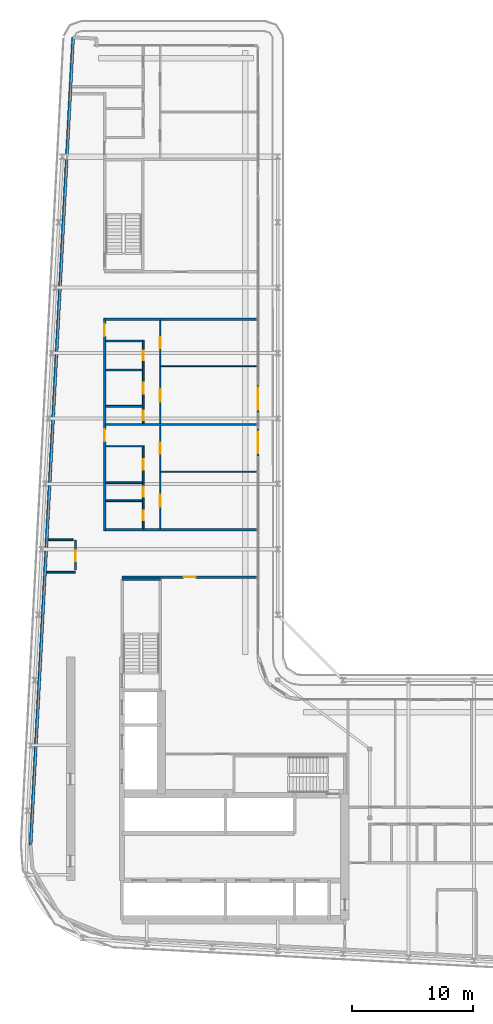
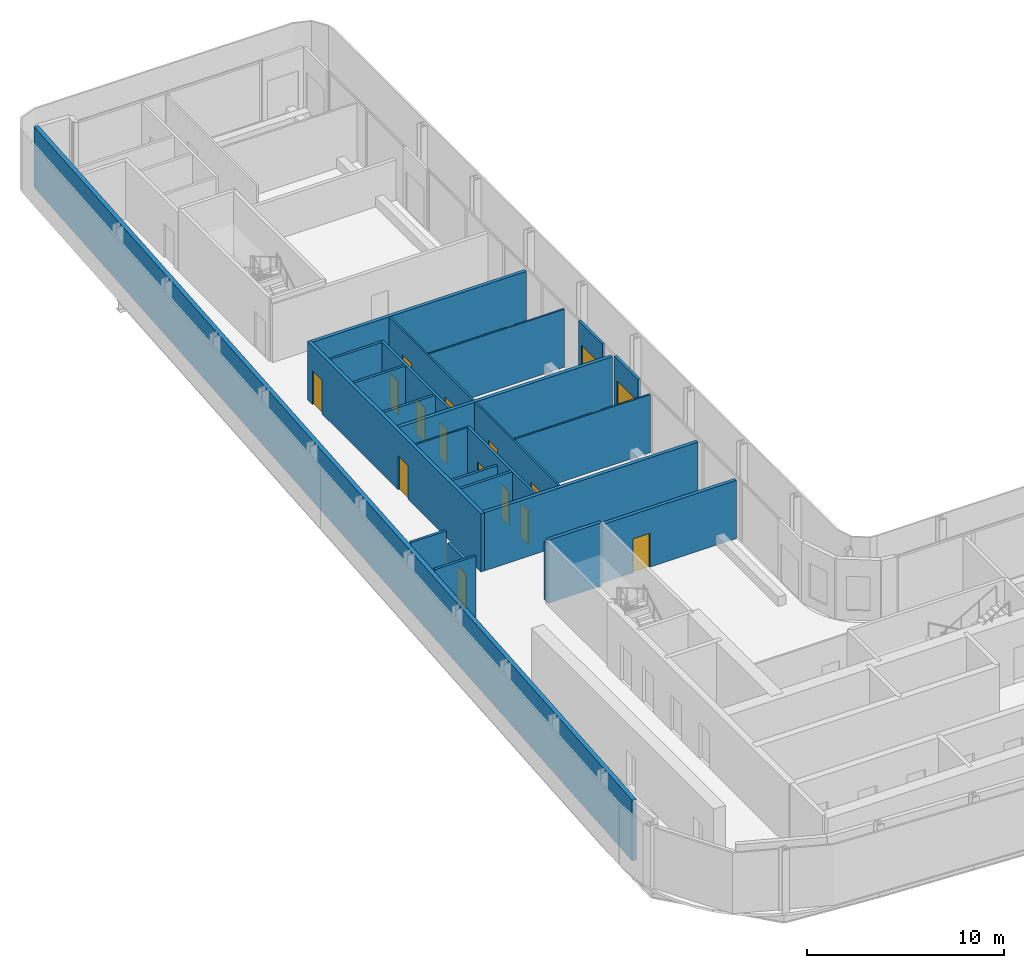
# One storey, part 13 of 22: 24 walls, 16 doors, 16 openings.
"""IFC4 building model written with IfcOpenShell, lengths in metres."""

from ifc_helpers import new_model, si_unit, direction, frame, frame_2d, origin, place, context, subcontext, project, spatial, rectangle, extrude, source, transform, mapped, material, layer, layer_set, type_object, element, fill, save


model = new_model("IFC4")

# Units and contexts
model_context = context("Model", 3, precision=1e-05, world=origin(), true_north=direction((0.0, 1.0)))
body_context = subcontext(model_context, "Body", "Model", "MODEL_VIEW")
ifc_project = project(units=[si_unit("LENGTHUNIT", "METRE"), si_unit("AREAUNIT", "SQUARE_METRE"), si_unit("VOLUMEUNIT", "CUBIC_METRE"), si_unit("PLANEANGLEUNIT", "RADIAN"), si_unit("MASSUNIT", "GRAM", prefix="KILO")], contexts=[model_context])

# Site, building, storey
site_placement = place(None, origin())
site = spatial("IfcSite", under=ifc_project, at=site_placement, CompositionType="ELEMENT")
building_placement = place(site_placement, origin())
building = spatial("IfcBuilding", under=site, at=building_placement, Name="Kheshtan School and Residences Tower", CompositionType="ELEMENT")
storey_placement = place(building_placement, frame((0.0, 0.0, 251.300048828125)))
storey = spatial("IfcBuildingStorey", under=building, at=storey_placement, Name="L59", CompositionType="ELEMENT", Elevation=251.300048828125)

# Wall, openings, doors
ifc_material_1 = material(Name="Gypsum board on steel studs with fire boards", Category="steel")
ifc_layer_1 = layer(ifc_material_1, 0.199951171875)
ifc_layer_set_1 = layer_set([ifc_layer_1], Name="Corridor wall 200")
wall_type_1 = type_object("IfcWallType", Name="Corridor wall 200", PredefinedType="PARTITIONING", material=ifc_layer_set_1)
wall_1_placement = place(storey_placement, frame((33.300048828125, 57.89990234375, 0.0), z_axis=(0.0, 0.0, 1.0), x_axis=(0.0, 1.0, 0.0)))
wall_1 = element("IfcWall", 1, at=wall_1_placement, inside=storey, type_object=wall_type_1, Name="Partition L59-003", PredefinedType="PARTITIONING", context=body_context, shape_type="SweptSolid", body=[
    extrude(rectangle(XDim=17.60009765625, YDim=0.199951171875, at=frame_2d((8.800048828125, 0.0))), origin(), (0.0, 0.0, 1.0), 3.599853515625),
])
opening_1_placement = place(wall_1_placement, frame((7.39990234375, 0.0, 0.0)))
opening_1 = element("IfcOpeningElement", 2, at=opening_1_placement, cuts=wall_1, Name="Opening D58-024", PredefinedType="OPENING", context=body_context, shape_type="SweptSolid", body=[
    extrude(rectangle(XDim=1.0, YDim=2.10009765625, at=frame_2d((0.5, 1.050048828125))), frame((0.0, 0.10986328125, 0.0), z_axis=(0.0, -1.0, 0.0), x_axis=(1.0, 0.0, 0.0)), (0.0, 0.0, 1.0), 0.219970703125),
])
opening_2_placement = place(wall_1_placement, frame((16.10009765625, 0.0, 0.0)))
opening_2 = element("IfcOpeningElement", 3, at=opening_2_placement, cuts=wall_1, Name="Opening D58-030", PredefinedType="OPENING", context=body_context, shape_type="SweptSolid", body=[
    extrude(rectangle(XDim=1.0, YDim=2.10009765625, at=frame_2d((0.5, 1.050048828125))), frame((0.0, 0.10986328125, 0.0), z_axis=(0.0, -1.0, 0.0), x_axis=(1.0, 0.0, 0.0)), (0.0, 0.0, 1.0), 0.219970703125),
])
ifc_material_2 = material(Name="Steel-framed fire-resisting door leaf", Category="steel")
door_type_1 = type_object("IfcDoorType", Name="Fire door FD30S 1000 x 2100", OperationType="SINGLE_SWING_LEFT", PredefinedType="DOOR", material=ifc_material_2)
shared_shape_1 = source(origin(), body_context, "Body", "SweptSolid", [
    extrude(rectangle(XDim=1.0, YDim=2.10009765625, at=frame_2d((0.5, 1.050048828125))), frame((0.0, 0.02490234375, 0.0), z_axis=(0.0, -1.0, 0.0), x_axis=(1.0, 0.0, 0.0)), (0.0, 0.0, 1.0), 0.050048828125),
])
door_1_placement = place(opening_1_placement, origin())
door_1 = element("IfcDoor", 4, at=door_1_placement, inside=storey, type_object=door_type_1, Name="Door D58-024", OperationType="SINGLE_SWING_LEFT", OverallHeight=2.10009765625, OverallWidth=1.0, PredefinedType="DOOR", context=body_context, shape_type="MappedRepresentation", body=[
    mapped(shared_shape_1, transform((0.0, 0.0, 0.0), x_axis=(1.0, 0.0, 0.0), y_axis=(0.0, 1.0, 0.0), z_axis=(0.0, 0.0, 1.0), scale=1.0)),
])
fill(opening_1, door_1)
door_2_placement = place(opening_2_placement, origin())
door_2 = element("IfcDoor", 5, at=door_2_placement, inside=storey, type_object=door_type_1, Name="Door D58-030", OperationType="SINGLE_SWING_RIGHT", OverallHeight=2.10009765625, OverallWidth=1.0, PredefinedType="DOOR", context=body_context, shape_type="MappedRepresentation", body=[
    mapped(shared_shape_1, transform((0.0, 0.0, 0.0), x_axis=(1.0, 0.0, 0.0), y_axis=(0.0, 1.0, 0.0), z_axis=(0.0, 0.0, 1.0), scale=1.0)),
])
fill(opening_2, door_2)

# Walls
for number, where, z_axis, x_axis, name in (
    (6, (33.39990234375, 58.0, 0.0), (0.0, 0.0, 1.0), (1.0, 0.0, 0.0), "Partition L59-006"),
    (7, (33.39990234375, 75.39990234375, 0.0), (0.0, 0.0, 1.0), (1.0, 0.0, 0.0), "Partition L59-014"),
):
    element("IfcWall", number, at=place(storey_placement, frame(where, z_axis=z_axis, x_axis=x_axis)), inside=storey, type_object=wall_type_1, Name=name, PredefinedType="PARTITIONING", context=body_context, shape_type="SweptSolid", body=[
        extrude(rectangle(XDim=12.5, YDim=0.199951171875, at=frame_2d((6.25, 0.0))), origin(), (0.0, 0.0, 1.0), 3.599853515625),
    ])

# Wall, opening, door
wall_2_placement = place(storey_placement, frame((34.75, 54.10009765625, 0.0), z_axis=(0.0, 0.0, 1.0), x_axis=(1.0, 0.0, 0.0)))
wall_2 = element("IfcWall", 8, at=wall_2_placement, inside=storey, type_object=wall_type_1, Name="Partition L59-017", PredefinedType="PARTITIONING", context=body_context, shape_type="SweptSolid", body=[
    extrude(rectangle(XDim=11.14990234375, YDim=0.199951171875, at=frame_2d((5.574951171875, 0.0))), origin(), (0.0, 0.0, 1.0), 3.599853515625),
])
opening_3_placement = place(wall_2_placement, frame((5.074951171875, 0.0, 0.0)))
opening_3 = element("IfcOpeningElement", 9, at=opening_3_placement, cuts=wall_2, Name="Opening D58-042", PredefinedType="OPENING", context=body_context, shape_type="SweptSolid", body=[
    extrude(rectangle(XDim=1.0, YDim=2.10009765625, at=frame_2d((0.5, 1.050048828125))), frame((0.0, 0.10986328125, 0.0), z_axis=(0.0, -1.0, 0.0), x_axis=(1.0, 0.0, 0.0)), (0.0, 0.0, 1.0), 0.219970703125),
])
door_type_2 = type_object("IfcDoorType", Name="Fire door FD60 1000 x 2100", OperationType="SINGLE_SWING_LEFT", PredefinedType="DOOR", material=ifc_material_2)
shared_shape_2 = source(origin(), body_context, "Body", "SweptSolid", [
    extrude(rectangle(XDim=1.0, YDim=2.10009765625, at=frame_2d((0.5, 1.050048828125))), frame((0.0, 0.02490234375, 0.0), z_axis=(0.0, -1.0, 0.0), x_axis=(1.0, 0.0, 0.0)), (0.0, 0.0, 1.0), 0.050048828125),
])
door_3_placement = place(opening_3_placement, origin())
door_3 = element("IfcDoor", 10, at=door_3_placement, inside=storey, type_object=door_type_2, Name="Door D58-042", OperationType="SINGLE_SWING_RIGHT", OverallHeight=2.10009765625, OverallWidth=1.0, PredefinedType="DOOR", context=body_context, shape_type="MappedRepresentation", body=[
    mapped(shared_shape_2, transform((0.0, 0.0, 0.0), x_axis=(1.0, 0.0, 0.0), y_axis=(0.0, 1.0, 0.0), z_axis=(0.0, 0.0, 1.0), scale=1.0)),
])
fill(opening_3, door_3)

# Wall
ifc_material_3 = material(Name="Concrete C40/50 with ceramic cladding and mineral wool insulation", Category="concrete")
ifc_layer_2 = layer(ifc_material_3, 0.25)
ifc_layer_set_2 = layer_set([ifc_layer_2], Name="External wall 250 ceramic clad")
wall_type_2 = type_object("IfcWallType", Name="External wall 250 ceramic clad", PredefinedType="SOLIDWALL", material=ifc_layer_set_2)
wall_3_placement = place(storey_placement, frame((27.195068359375, 31.968994140625, 0.0), z_axis=(0.0, 0.0, 1.0), x_axis=(0.052554995867, 0.998618031286, 0.0)))
element("IfcWall", 11, at=wall_3_placement, inside=storey, type_object=wall_type_2, Name="External wall L59 4", PredefinedType="SOLIDWALL", context=body_context, shape_type="SweptSolid", body=[
    extrude(rectangle(XDim=66.787353515625, YDim=0.25, at=frame_2d((33.3935546875, 0.0))), origin(), (0.0, 0.0, 1.0), 3.75),
])

# Wall, opening, door
ifc_material_4 = material(Name="Aluminium frame wall with insulated infill", Category="aluminium")
ifc_layer_3 = layer(ifc_material_4, 0.14990234375)
ifc_layer_set_3 = layer_set([ifc_layer_3], Name="Glazing frame wall 150")
wall_type_3 = type_object("IfcWallType", Name="Glazing frame wall 150", PredefinedType="SOLIDWALL", material=ifc_layer_set_3)
wall_4_placement = place(storey_placement, frame((45.97509765625, 70.01806640625, 0.0), z_axis=(0.0, 0.0, 1.0), x_axis=(0.0, -1.0, 0.0)))
wall_4 = element("IfcWall", 12, at=wall_4_placement, inside=storey, type_object=wall_type_3, Name="Balcony door wall L59 8.3", PredefinedType="SOLIDWALL", context=body_context, shape_type="SweptSolid", body=[
    extrude(rectangle(XDim=2.400146484375, YDim=0.14990234375, at=frame_2d((1.2001953125, 0.0))), origin(), (0.0, 0.0, 1.0), 3.75),
])
opening_4_placement = place(wall_4_placement, frame((0.300048828125, 0.0, 0.0)))
opening_4 = element("IfcOpeningElement", 13, at=opening_4_placement, cuts=wall_4, Name="Opening BD", PredefinedType="OPENING", context=body_context, shape_type="SweptSolid", body=[
    extrude(rectangle(XDim=1.800048828125, YDim=2.39990234375, at=frame_2d((0.89990234375, 1.199951171875))), frame((0.0, 0.0849609375, 0.0), z_axis=(0.0, -1.0, 0.0), x_axis=(1.0, 0.0, 0.0)), (0.0, 0.0, 1.0), 0.169921875),
])
ifc_material_5 = material(Name="Clear low-e glass in thermally broken aluminium frame", Category="aluminium")
door_type_3 = type_object("IfcDoorType", Name="Balcony sliding door", OperationType="SLIDING_TO_LEFT", PredefinedType="DOOR", material=ifc_material_5)
shared_shape_3 = source(origin(), body_context, "Body", "SweptSolid", [
    extrude(rectangle(XDim=1.800048828125, YDim=2.39990234375, at=frame_2d((0.89990234375, 1.199951171875))), frame((0.0, 0.02490234375, 0.0), z_axis=(0.0, -1.0, 0.0), x_axis=(1.0, 0.0, 0.0)), (0.0, 0.0, 1.0), 0.050048828125),
])
door_4_placement = place(opening_4_placement, origin())
door_4 = element("IfcDoor", 14, at=door_4_placement, inside=storey, type_object=door_type_3, Name="Balcony door L59 8.3", OperationType="SLIDING_TO_LEFT", OverallHeight=2.39990234375, OverallWidth=1.800048828125, PredefinedType="DOOR", context=body_context, shape_type="MappedRepresentation", body=[
    mapped(shared_shape_3, transform((0.0, 0.0, 0.0), x_axis=(1.0, 0.0, 0.0), y_axis=(0.0, 1.0, 0.0), z_axis=(0.0, 0.0, 1.0), scale=1.0)),
])
fill(opening_4, door_4)

wall_5_placement = place(storey_placement, frame((45.97509765625, 66.41796875, 0.0), z_axis=(0.0, 0.0, 1.0), x_axis=(0.0, -1.0, 0.0)))
wall_5 = element("IfcWall", 15, at=wall_5_placement, inside=storey, type_object=wall_type_3, Name="Balcony door wall L59 8.4", PredefinedType="SOLIDWALL", context=body_context, shape_type="SweptSolid", body=[
    extrude(rectangle(XDim=2.39990234375, YDim=0.14990234375, at=frame_2d((1.199951171875, 0.0))), origin(), (0.0, 0.0, 1.0), 3.75),
])
opening_5_placement = place(wall_5_placement, frame((0.300048828125, 0.0, 0.0)))
opening_5 = element("IfcOpeningElement", 16, at=opening_5_placement, cuts=wall_5, Name="Opening BD", PredefinedType="OPENING", context=body_context, shape_type="SweptSolid", body=[
    extrude(rectangle(XDim=1.800048828125, YDim=2.39990234375, at=frame_2d((0.89990234375, 1.199951171875))), frame((0.0, 0.0849609375, 0.0), z_axis=(0.0, -1.0, 0.0), x_axis=(1.0, 0.0, 0.0)), (0.0, 0.0, 1.0), 0.169921875),
])
door_5_placement = place(opening_5_placement, origin())
door_5 = element("IfcDoor", 17, at=door_5_placement, inside=storey, type_object=door_type_3, Name="Balcony door L59 8.4", OperationType="SLIDING_TO_LEFT", OverallHeight=2.39990234375, OverallWidth=1.800048828125, PredefinedType="DOOR", context=body_context, shape_type="MappedRepresentation", body=[
    mapped(shared_shape_3, transform((0.0, 0.0, 0.0), x_axis=(1.0, 0.0, 0.0), y_axis=(0.0, 1.0, 0.0), z_axis=(0.0, 0.0, 1.0), scale=1.0)),
])
fill(opening_5, door_5)

# Wall
ifc_material_6 = material(Name="Gypsum board on steel studs", Category="steel")
ifc_layer_4 = layer(ifc_material_6, 0.10009765625)
ifc_layer_set_4 = layer_set([ifc_layer_4], Name="Gypsum partition 100")
wall_type_4 = type_object("IfcWallType", Name="Gypsum partition 100", PredefinedType="PARTITIONING", material=ifc_layer_set_4)
wall_6_placement = place(storey_placement, frame((33.39990234375, 64.89990234375, 0.0), z_axis=(0.0, 0.0, 1.0), x_axis=(1.0, 0.0, 0.0)))
element("IfcWall", 18, at=wall_6_placement, inside=storey, type_object=wall_type_4, Name="Partition L59-009", PredefinedType="PARTITIONING", context=body_context, shape_type="SweptSolid", body=[
    extrude(rectangle(XDim=3.025146484375, YDim=0.10009765625, at=frame_2d((1.5126953125, 0.0))), origin(), (0.0, 0.0, 1.0), 3.599853515625),
])

# Wall, openings, doors
wall_7_placement = place(storey_placement, frame((37.89990234375, 58.10009765625, 0.0), z_axis=(0.0, 0.0, 1.0), x_axis=(0.0, 1.0, 0.0)))
wall_7 = element("IfcWall", 19, at=wall_7_placement, inside=storey, type_object=wall_type_4, Name="Partition L59-022", PredefinedType="PARTITIONING", context=body_context, shape_type="SweptSolid", body=[
    extrude(rectangle(XDim=8.5, YDim=0.10009765625, at=frame_2d((4.25, 0.0))), origin(), (0.0, 0.0, 1.0), 3.599853515625),
])
opening_6_placement = place(wall_7_placement, frame((6.199951171875, 0.0, 0.0)))
opening_6 = element("IfcOpeningElement", 20, at=opening_6_placement, cuts=wall_7, Name="Opening D58-023", PredefinedType="OPENING", context=body_context, shape_type="SweptSolid", body=[
    extrude(rectangle(XDim=0.89990234375, YDim=2.10009765625, at=frame_2d((0.449951171875, 1.050048828125))), frame((0.0, 0.06005859375, 0.0), z_axis=(0.0, -1.0, 0.0), x_axis=(1.0, 0.0, 0.0)), (0.0, 0.0, 1.0), 0.1201171875),
])
opening_7_placement = place(wall_7_placement, frame((1.800048828125, 0.0, 0.0)))
opening_7 = element("IfcOpeningElement", 21, at=opening_7_placement, cuts=wall_7, Name="Opening D58-026", PredefinedType="OPENING", context=body_context, shape_type="SweptSolid", body=[
    extrude(rectangle(XDim=1.0, YDim=2.10009765625, at=frame_2d((0.5, 1.050048828125))), frame((0.0, 0.06005859375, 0.0), z_axis=(0.0, -1.0, 0.0), x_axis=(1.0, 0.0, 0.0)), (0.0, 0.0, 1.0), 0.1201171875),
])
ifc_material_7 = material(Name="Veneered timber door leaf", Category="wood")
door_type_4 = type_object("IfcDoorType", Name="Door 1000 x 2100", OperationType="SINGLE_SWING_LEFT", PredefinedType="DOOR", material=ifc_material_7)
shared_shape_4 = source(origin(), body_context, "Body", "SweptSolid", [
    extrude(rectangle(XDim=1.0, YDim=2.10009765625, at=frame_2d((0.5, 1.050048828125))), frame((0.0, 0.02490234375, 0.0), z_axis=(0.0, -1.0, 0.0), x_axis=(1.0, 0.0, 0.0)), (0.0, 0.0, 1.0), 0.050048828125),
])
door_6_placement = place(opening_7_placement, origin())
door_6 = element("IfcDoor", 22, at=door_6_placement, inside=storey, type_object=door_type_4, Name="Door D58-026", OperationType="SINGLE_SWING_RIGHT", OverallHeight=2.10009765625, OverallWidth=1.0, PredefinedType="DOOR", context=body_context, shape_type="MappedRepresentation", body=[
    mapped(shared_shape_4, transform((0.0, 0.0, 0.0), x_axis=(1.0, 0.0, 0.0), y_axis=(0.0, 1.0, 0.0), z_axis=(0.0, 0.0, 1.0), scale=1.0)),
])
fill(opening_7, door_6)
door_type_5 = type_object("IfcDoorType", Name="Door 900 x 2100", OperationType="SINGLE_SWING_LEFT", PredefinedType="DOOR", material=ifc_material_7)
shared_shape_5 = source(origin(), body_context, "Body", "SweptSolid", [
    extrude(rectangle(XDim=0.89990234375, YDim=2.10009765625, at=frame_2d((0.449951171875, 1.050048828125))), frame((0.0, 0.02490234375, 0.0), z_axis=(0.0, -1.0, 0.0), x_axis=(1.0, 0.0, 0.0)), (0.0, 0.0, 1.0), 0.050048828125),
])
door_7_placement = place(opening_6_placement, origin())
door_7 = element("IfcDoor", 23, at=door_7_placement, inside=storey, type_object=door_type_5, Name="Door D58-023", OperationType="SINGLE_SWING_RIGHT", OverallHeight=2.10009765625, OverallWidth=0.89990234375, PredefinedType="DOOR", context=body_context, shape_type="MappedRepresentation", body=[
    mapped(shared_shape_5, transform((0.0, 0.0, 0.0), x_axis=(1.0, 0.0, 0.0), y_axis=(0.0, 1.0, 0.0), z_axis=(0.0, 0.0, 1.0), scale=1.0)),
])
fill(opening_6, door_7)

wall_8_placement = place(storey_placement, frame((37.89990234375, 66.800048828125, 0.0), z_axis=(0.0, 0.0, 1.0), x_axis=(0.0, 1.0, 0.0)))
wall_8 = element("IfcWall", 24, at=wall_8_placement, inside=storey, type_object=wall_type_4, Name="Partition L59-023", PredefinedType="PARTITIONING", context=body_context, shape_type="SweptSolid", body=[
    extrude(rectangle(XDim=8.5, YDim=0.10009765625, at=frame_2d((4.25, 0.0))), origin(), (0.0, 0.0, 1.0), 3.599853515625),
])
opening_8_placement = place(wall_8_placement, frame((6.199951171875, 0.0, 0.0)))
opening_8 = element("IfcOpeningElement", 25, at=opening_8_placement, cuts=wall_8, Name="Opening D58-029", PredefinedType="OPENING", context=body_context, shape_type="SweptSolid", body=[
    extrude(rectangle(XDim=0.89990234375, YDim=2.10009765625, at=frame_2d((0.449951171875, 1.050048828125))), frame((0.0, 0.06005859375, 0.0), z_axis=(0.0, -1.0, 0.0), x_axis=(1.0, 0.0, 0.0)), (0.0, 0.0, 1.0), 0.1201171875),
])
opening_9_placement = place(wall_8_placement, frame((1.800048828125, 0.0, 0.0)))
opening_9 = element("IfcOpeningElement", 26, at=opening_9_placement, cuts=wall_8, Name="Opening D58-032", PredefinedType="OPENING", context=body_context, shape_type="SweptSolid", body=[
    extrude(rectangle(XDim=1.0, YDim=2.10009765625, at=frame_2d((0.5, 1.050048828125))), frame((0.0, 0.06005859375, 0.0), z_axis=(0.0, -1.0, 0.0), x_axis=(1.0, 0.0, 0.0)), (0.0, 0.0, 1.0), 0.1201171875),
])
door_8_placement = place(opening_9_placement, origin())
door_8 = element("IfcDoor", 27, at=door_8_placement, inside=storey, type_object=door_type_4, Name="Door D58-032", OperationType="SINGLE_SWING_RIGHT", OverallHeight=2.10009765625, OverallWidth=1.0, PredefinedType="DOOR", context=body_context, shape_type="MappedRepresentation", body=[
    mapped(shared_shape_4, transform((0.0, 0.0, 0.0), x_axis=(1.0, 0.0, 0.0), y_axis=(0.0, 1.0, 0.0), z_axis=(0.0, 0.0, 1.0), scale=1.0)),
])
fill(opening_9, door_8)
door_9_placement = place(opening_8_placement, origin())
door_9 = element("IfcDoor", 28, at=door_9_placement, inside=storey, type_object=door_type_5, Name="Door D58-029", OperationType="SINGLE_SWING_RIGHT", OverallHeight=2.10009765625, OverallWidth=0.89990234375, PredefinedType="DOOR", context=body_context, shape_type="MappedRepresentation", body=[
    mapped(shared_shape_5, transform((0.0, 0.0, 0.0), x_axis=(1.0, 0.0, 0.0), y_axis=(0.0, 1.0, 0.0), z_axis=(0.0, 0.0, 1.0), scale=1.0)),
])
fill(opening_8, door_9)

# Walls
for number, where, z_axis, x_axis, name in (
    (29, (37.949951171875, 62.800048828125, 0.0), (0.0, 0.0, 1.0), (1.0, 0.0, 0.0), "Partition L59-025"),
    (30, (37.949951171875, 71.5, 0.0), (0.0, 0.0, 1.0), (1.0, 0.0, 0.0), "Partition L59-026"),
):
    element("IfcWall", number, at=place(storey_placement, frame(where, z_axis=z_axis, x_axis=x_axis)), inside=storey, type_object=wall_type_4, Name=name, PredefinedType="PARTITIONING", context=body_context, shape_type="SweptSolid", body=[
        extrude(rectangle(XDim=7.949951171875, YDim=0.10009765625, at=frame_2d((3.97509765625, 0.0))), origin(), (0.0, 0.0, 1.0), 3.599853515625),
    ])
ifc_material_8 = material(Name="Fire-board shaft wall system")
ifc_layer_5 = layer(ifc_material_8, 0.14990234375)
ifc_layer_set_5 = layer_set([ifc_layer_5], Name="Service room wall 150")
wall_type_5 = type_object("IfcWallType", Name="Service room wall 150", PredefinedType="PARTITIONING", material=ifc_layer_set_5)
wall_9_placement = place(storey_placement, frame((28.508056640625, 54.5, 0.0), z_axis=(0.0, 0.0, 1.0), x_axis=(1.0, 0.0, 0.0)))
element("IfcWall", 31, at=wall_9_placement, inside=storey, type_object=wall_type_5, Name="Service room wall", PredefinedType="PARTITIONING", context=body_context, shape_type="SweptSolid", body=[
    extrude(rectangle(XDim=2.391845703125, YDim=0.14990234375, at=frame_2d((1.19580078125, 0.0))), origin(), (0.0, 0.0, 1.0), 3.89990234375),
])

# Wall, opening, door
wall_10_placement = place(storey_placement, frame((30.89990234375, 54.695068359375, 0.0), z_axis=(0.0, 0.0, 1.0), x_axis=(0.0, 1.0, 0.0)))
wall_10 = element("IfcWall", 32, at=wall_10_placement, inside=storey, type_object=wall_type_5, Name="Service room wall", PredefinedType="PARTITIONING", context=body_context, shape_type="SweptSolid", body=[
    extrude(rectangle(XDim=2.48681640625, YDim=0.14990234375, at=frame_2d((1.243408203125, 0.0))), origin(), (0.0, 0.0, 1.0), 3.072021484375),
])
opening_10_placement = place(wall_10_placement, frame((0.696044921875, 0.0, 0.0)))
opening_10 = element("IfcOpeningElement", 33, at=opening_10_placement, cuts=wall_10, Name="Opening SR90", PredefinedType="OPENING", context=body_context, shape_type="SweptSolid", body=[
    extrude(rectangle(XDim=0.89990234375, YDim=2.199951171875, at=frame_2d((0.449951171875, 1.10009765625))), frame((0.0, 0.0849609375, 0.0), z_axis=(0.0, -1.0, 0.0), x_axis=(1.0, 0.0, 0.0)), (0.0, 0.0, 1.0), 0.169921875),
])
ifc_material_9 = material(Name="Steel door leaf, galvanised", Category="steel")
door_type_6 = type_object("IfcDoorType", Name="Service room door 900 steel 90 min", OperationType="SINGLE_SWING_LEFT", PredefinedType="DOOR", material=ifc_material_9)
shared_shape_6 = source(origin(), body_context, "Body", "SweptSolid", [
    extrude(rectangle(XDim=0.89990234375, YDim=2.199951171875, at=frame_2d((0.449951171875, 1.10009765625))), frame((0.0, 0.02490234375, 0.0), z_axis=(0.0, -1.0, 0.0), x_axis=(1.0, 0.0, 0.0)), (0.0, 0.0, 1.0), 0.050048828125),
])
door_10_placement = place(opening_10_placement, origin())
door_10 = element("IfcDoor", 34, at=door_10_placement, inside=storey, type_object=door_type_6, Name="Service room door", OperationType="SINGLE_SWING_LEFT", OverallHeight=2.199951171875, OverallWidth=0.89990234375, PredefinedType="DOOR", context=body_context, shape_type="MappedRepresentation", body=[
    mapped(shared_shape_6, transform((0.0, 0.0, 0.0), x_axis=(1.0, 0.0, 0.0), y_axis=(0.0, 1.0, 0.0), z_axis=(0.0, 0.0, 1.0), scale=1.0)),
])
fill(opening_10, door_10)

# Walls
wall_11_placement = place(storey_placement, frame((28.64892578125, 57.181884765625, 0.0), z_axis=(0.0, 0.0, 1.0), x_axis=(1.0, 0.0, 0.0)))
element("IfcWall", 35, at=wall_11_placement, inside=storey, type_object=wall_type_5, Name="Service room wall", PredefinedType="PARTITIONING", context=body_context, shape_type="SweptSolid", body=[
    extrude(rectangle(XDim=2.05615234375, YDim=0.14990234375, at=frame_2d((1.028076171875, 0.0))), origin(), (0.0, 0.0, 1.0), 3.89990234375),
])
ifc_material_10 = material(Name="Concrete C40/50", Category="concrete")
ifc_layer_6 = layer(ifc_material_10, 0.199951171875)
ifc_layer_set_6 = layer_set([ifc_layer_6], Name="Stair enclosure wall 200 Concrete C40/50")
wall_type_6 = type_object("IfcWallType", Name="Stair enclosure wall 200 Concrete C40/50", PredefinedType="SHEAR", material=ifc_layer_set_6)
wall_12_placement = place(storey_placement, frame((34.75, 53.909912109375, 0.0), z_axis=(0.0, 0.0, 1.0), x_axis=(1.0, 0.0, 0.0)))
element("IfcWall", 36, at=wall_12_placement, inside=storey, type_object=wall_type_6, Name="Stair enclosure wall ST2", PredefinedType="SHEAR", context=body_context, shape_type="SweptSolid", body=[
    extrude(rectangle(XDim=3.14990234375, YDim=0.199951171875, at=frame_2d((1.574951171875, 0.0))), origin(), (0.0, 0.0, 1.0), 3.89990234375),
])
ifc_material_11 = material(Name="Twin gypsum board on steel studs with mineral wool", Category="steel")
ifc_layer_7 = layer(ifc_material_11, 0.199951171875)
ifc_layer_set_7 = layer_set([ifc_layer_7], Name="Unit demising wall 200")
wall_type_7 = type_object("IfcWallType", Name="Unit demising wall 200", PredefinedType="PARTITIONING", material=ifc_layer_set_7)
wall_13_placement = place(storey_placement, frame((33.39990234375, 66.699951171875, 0.0), z_axis=(0.0, 0.0, 1.0), x_axis=(1.0, 0.0, 0.0)))
element("IfcWall", 37, at=wall_13_placement, inside=storey, type_object=wall_type_7, Name="Partition L59-010", PredefinedType="PARTITIONING", context=body_context, shape_type="SweptSolid", body=[
    extrude(rectangle(XDim=12.5, YDim=0.199951171875, at=frame_2d((6.25, 0.0))), origin(), (0.0, 0.0, 1.0), 3.599853515625),
])
ifc_material_12 = material(Name="Moisture-resistant gypsum board on steel studs", Category="steel")
ifc_layer_8 = layer(ifc_material_12, 0.14990234375)
ifc_layer_set_8 = layer_set([ifc_layer_8], Name="Wet-room partition 150")
wall_type_8 = type_object("IfcWallType", Name="Wet-room partition 150", PredefinedType="PARTITIONING", material=ifc_layer_set_8)
wall_14_placement = place(storey_placement, frame((33.39990234375, 60.39990234375, 0.0), z_axis=(0.0, 0.0, 1.0), x_axis=(1.0, 0.0, 0.0)))
element("IfcWall", 38, at=wall_14_placement, inside=storey, type_object=wall_type_8, Name="Partition L59-007", PredefinedType="PARTITIONING", context=body_context, shape_type="SweptSolid", body=[
    extrude(rectangle(XDim=3.025146484375, YDim=0.14990234375, at=frame_2d((1.5126953125, 0.0))), origin(), (0.0, 0.0, 1.0), 3.599853515625),
])
wall_15_placement = place(storey_placement, frame((33.39990234375, 61.89990234375, 0.0), z_axis=(0.0, 0.0, 1.0), x_axis=(1.0, 0.0, 0.0)))
element("IfcWall", 39, at=wall_15_placement, inside=storey, type_object=wall_type_8, Name="Partition L59-008", PredefinedType="PARTITIONING", context=body_context, shape_type="SweptSolid", body=[
    extrude(rectangle(XDim=3.025146484375, YDim=0.14990234375, at=frame_2d((1.5126953125, 0.0))), origin(), (0.0, 0.0, 1.0), 3.072021484375),
])
for number, where, z_axis, x_axis, name in (
    (40, (33.39990234375, 68.199951171875, 0.0), (0.0, 0.0, 1.0), (1.0, 0.0, 0.0), "Partition L59-011"),
    (41, (33.39990234375, 71.199951171875, 0.0), (0.0, 0.0, 1.0), (1.0, 0.0, 0.0), "Partition L59-012"),
    (42, (33.39990234375, 73.60009765625, 0.0), (0.0, 0.0, 1.0), (1.0, 0.0, 0.0), "Partition L59-013"),
):
    element("IfcWall", number, at=place(storey_placement, frame(where, z_axis=z_axis, x_axis=x_axis)), inside=storey, type_object=wall_type_8, Name=name, PredefinedType="PARTITIONING", context=body_context, shape_type="SweptSolid", body=[
        extrude(rectangle(XDim=3.025146484375, YDim=0.14990234375, at=frame_2d((1.5126953125, 0.0))), origin(), (0.0, 0.0, 1.0), 3.599853515625),
    ])

# Wall, openings, doors
wall_16_placement = place(storey_placement, frame((36.5, 58.10009765625, 0.0), z_axis=(0.0, 0.0, 1.0), x_axis=(0.0, 1.0, 0.0)))
wall_16 = element("IfcWall", 43, at=wall_16_placement, inside=storey, type_object=wall_type_8, Name="Partition L59-018", PredefinedType="PARTITIONING", context=body_context, shape_type="SweptSolid", body=[
    extrude(rectangle(XDim=6.849853515625, YDim=0.14990234375, at=frame_2d((3.4248046875, 0.0))), origin(), (0.0, 0.0, 1.0), 3.599853515625),
])
opening_11_placement = place(wall_16_placement, frame((0.699951171875, 0.0, 0.0)))
opening_11 = element("IfcOpeningElement", 44, at=opening_11_placement, cuts=wall_16, Name="Opening D58-022", PredefinedType="OPENING", context=body_context, shape_type="SweptSolid", body=[
    extrude(rectangle(XDim=0.800048828125, YDim=2.10009765625, at=frame_2d((0.39990234375, 1.050048828125))), frame((0.0, 0.0849609375, 0.0), z_axis=(0.0, -1.0, 0.0), x_axis=(1.0, 0.0, 0.0)), (0.0, 0.0, 1.0), 0.169921875),
])
opening_12_placement = place(wall_16_placement, frame((4.85009765625, 0.0, 0.0)))
opening_12 = element("IfcOpeningElement", 45, at=opening_12_placement, cuts=wall_16, Name="Opening D58-025", PredefinedType="OPENING", context=body_context, shape_type="SweptSolid", body=[
    extrude(rectangle(XDim=0.89990234375, YDim=2.10009765625, at=frame_2d((0.449951171875, 1.050048828125))), frame((0.0, 0.0849609375, 0.0), z_axis=(0.0, -1.0, 0.0), x_axis=(1.0, 0.0, 0.0)), (0.0, 0.0, 1.0), 0.169921875),
])
opening_13_placement = place(wall_16_placement, frame((2.64990234375, 0.0, 0.0)))
opening_13 = element("IfcOpeningElement", 46, at=opening_13_placement, cuts=wall_16, Name="Opening D58-027", PredefinedType="OPENING", context=body_context, shape_type="SweptSolid", body=[
    extrude(rectangle(XDim=0.800048828125, YDim=2.10009765625, at=frame_2d((0.39990234375, 1.050048828125))), frame((0.0, 0.0849609375, 0.0), z_axis=(0.0, -1.0, 0.0), x_axis=(1.0, 0.0, 0.0)), (0.0, 0.0, 1.0), 0.169921875),
])
door_type_7 = type_object("IfcDoorType", Name="Door 800 x 2100", OperationType="SINGLE_SWING_LEFT", PredefinedType="DOOR", material=ifc_material_7)
shared_shape_7 = source(origin(), body_context, "Body", "SweptSolid", [
    extrude(rectangle(XDim=0.800048828125, YDim=2.10009765625, at=frame_2d((0.39990234375, 1.050048828125))), frame((0.0, 0.02490234375, 0.0), z_axis=(0.0, -1.0, 0.0), x_axis=(1.0, 0.0, 0.0)), (0.0, 0.0, 1.0), 0.050048828125),
])
door_11_placement = place(opening_11_placement, origin())
door_11 = element("IfcDoor", 47, at=door_11_placement, inside=storey, type_object=door_type_7, Name="Door D58-022", OperationType="SINGLE_SWING_LEFT", OverallHeight=2.10009765625, OverallWidth=0.800048828125, PredefinedType="DOOR", context=body_context, shape_type="MappedRepresentation", body=[
    mapped(shared_shape_7, transform((0.0, 0.0, 0.0), x_axis=(1.0, 0.0, 0.0), y_axis=(0.0, 1.0, 0.0), z_axis=(0.0, 0.0, 1.0), scale=1.0)),
])
fill(opening_11, door_11)
door_12_placement = place(opening_13_placement, origin())
door_12 = element("IfcDoor", 48, at=door_12_placement, inside=storey, type_object=door_type_7, Name="Door D58-027", OperationType="SINGLE_SWING_RIGHT", OverallHeight=2.10009765625, OverallWidth=0.800048828125, PredefinedType="DOOR", context=body_context, shape_type="MappedRepresentation", body=[
    mapped(shared_shape_7, transform((0.0, 0.0, 0.0), x_axis=(1.0, 0.0, 0.0), y_axis=(0.0, 1.0, 0.0), z_axis=(0.0, 0.0, 1.0), scale=1.0)),
])
fill(opening_13, door_12)
door_13_placement = place(opening_12_placement, origin())
door_13 = element("IfcDoor", 49, at=door_13_placement, inside=storey, type_object=door_type_5, Name="Door D58-025", OperationType="SINGLE_SWING_RIGHT", OverallHeight=2.10009765625, OverallWidth=0.89990234375, PredefinedType="DOOR", context=body_context, shape_type="MappedRepresentation", body=[
    mapped(shared_shape_5, transform((0.0, 0.0, 0.0), x_axis=(1.0, 0.0, 0.0), y_axis=(0.0, 1.0, 0.0), z_axis=(0.0, 0.0, 1.0), scale=1.0)),
])
fill(opening_12, door_13)

wall_17_placement = place(storey_placement, frame((36.5, 66.800048828125, 0.0), z_axis=(0.0, 0.0, 1.0), x_axis=(0.0, 1.0, 0.0)))
wall_17 = element("IfcWall", 50, at=wall_17_placement, inside=storey, type_object=wall_type_8, Name="Partition L59-019", PredefinedType="PARTITIONING", context=body_context, shape_type="SweptSolid", body=[
    extrude(rectangle(XDim=6.875, YDim=0.14990234375, at=frame_2d((3.4375, 0.0))), origin(), (0.0, 0.0, 1.0), 3.599853515625),
])
opening_14_placement = place(wall_17_placement, frame((5.199951171875, 0.0, 0.0)))
opening_14 = element("IfcOpeningElement", 51, at=opening_14_placement, cuts=wall_17, Name="Opening D58-028", PredefinedType="OPENING", context=body_context, shape_type="SweptSolid", body=[
    extrude(rectangle(XDim=0.800048828125, YDim=2.10009765625, at=frame_2d((0.39990234375, 1.050048828125))), frame((0.0, 0.0849609375, 0.0), z_axis=(0.0, -1.0, 0.0), x_axis=(1.0, 0.0, 0.0)), (0.0, 0.0, 1.0), 0.169921875),
])
opening_15_placement = place(wall_17_placement, frame((2.449951171875, 0.0, 0.0)))
opening_15 = element("IfcOpeningElement", 52, at=opening_15_placement, cuts=wall_17, Name="Opening D58-031", PredefinedType="OPENING", context=body_context, shape_type="SweptSolid", body=[
    extrude(rectangle(XDim=0.89990234375, YDim=2.10009765625, at=frame_2d((0.449951171875, 1.050048828125))), frame((0.0, 0.0849609375, 0.0), z_axis=(0.0, -1.0, 0.0), x_axis=(1.0, 0.0, 0.0)), (0.0, 0.0, 1.0), 0.169921875),
])
opening_16_placement = place(wall_17_placement, frame((0.25, 0.0, 0.0)))
opening_16 = element("IfcOpeningElement", 53, at=opening_16_placement, cuts=wall_17, Name="Opening D58-033", PredefinedType="OPENING", context=body_context, shape_type="SweptSolid", body=[
    extrude(rectangle(XDim=0.800048828125, YDim=2.10009765625, at=frame_2d((0.39990234375, 1.050048828125))), frame((0.0, 0.0849609375, 0.0), z_axis=(0.0, -1.0, 0.0), x_axis=(1.0, 0.0, 0.0)), (0.0, 0.0, 1.0), 0.169921875),
])
door_14_placement = place(opening_14_placement, origin())
door_14 = element("IfcDoor", 54, at=door_14_placement, inside=storey, type_object=door_type_7, Name="Door D58-028", OperationType="SINGLE_SWING_RIGHT", OverallHeight=2.10009765625, OverallWidth=0.800048828125, PredefinedType="DOOR", context=body_context, shape_type="MappedRepresentation", body=[
    mapped(shared_shape_7, transform((0.0, 0.0, 0.0), x_axis=(1.0, 0.0, 0.0), y_axis=(0.0, 1.0, 0.0), z_axis=(0.0, 0.0, 1.0), scale=1.0)),
])
fill(opening_14, door_14)
door_15_placement = place(opening_16_placement, origin())
door_15 = element("IfcDoor", 55, at=door_15_placement, inside=storey, type_object=door_type_7, Name="Door D58-033", OperationType="SINGLE_SWING_RIGHT", OverallHeight=2.10009765625, OverallWidth=0.800048828125, PredefinedType="DOOR", context=body_context, shape_type="MappedRepresentation", body=[
    mapped(shared_shape_7, transform((0.0, 0.0, 0.0), x_axis=(1.0, 0.0, 0.0), y_axis=(0.0, 1.0, 0.0), z_axis=(0.0, 0.0, 1.0), scale=1.0)),
])
fill(opening_16, door_15)
door_16_placement = place(opening_15_placement, origin())
door_16 = element("IfcDoor", 56, at=door_16_placement, inside=storey, type_object=door_type_5, Name="Door D58-031", OperationType="SINGLE_SWING_RIGHT", OverallHeight=2.10009765625, OverallWidth=0.89990234375, PredefinedType="DOOR", context=body_context, shape_type="MappedRepresentation", body=[
    mapped(shared_shape_5, transform((0.0, 0.0, 0.0), x_axis=(1.0, 0.0, 0.0), y_axis=(0.0, 1.0, 0.0), z_axis=(0.0, 0.0, 1.0), scale=1.0)),
])
fill(opening_15, door_16)

save(model, "model.ifc")
